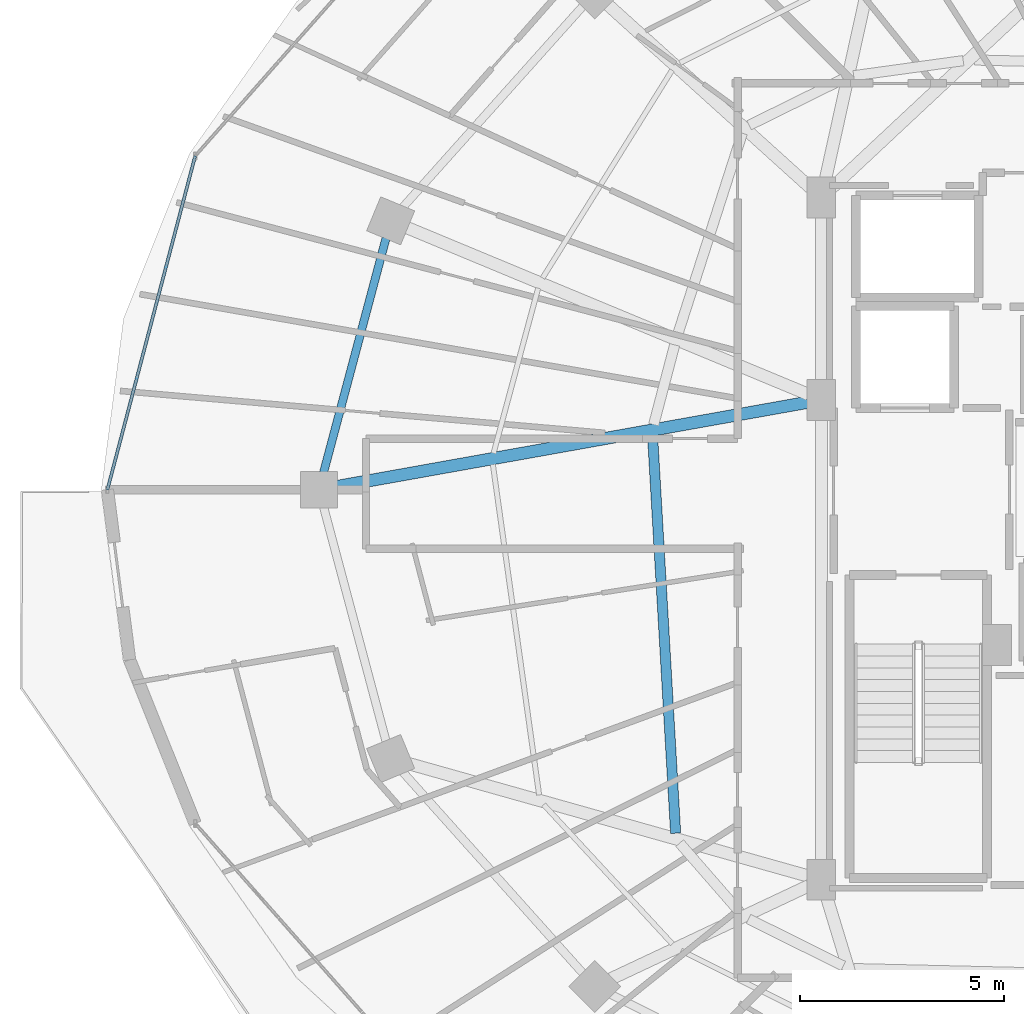
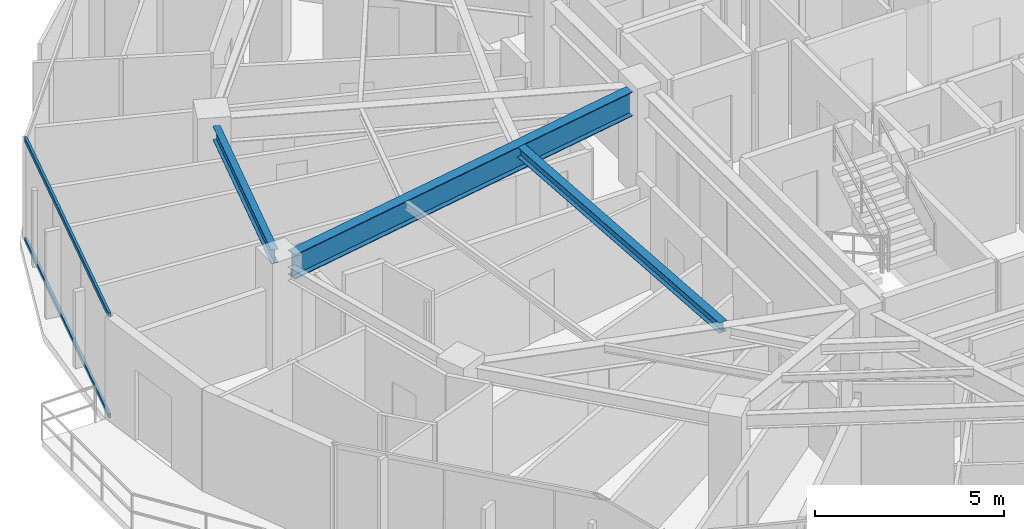
# One storey, part 8 of 33: 3 beams, 2 members, 1 element without a shape of its own.
"""IFC4 building model written with IfcOpenShell, lengths in metres."""

from ifc_helpers import new_model, si_unit, direction, frame, origin, origin_2d, place, context, subcontext, project, spatial, hollow_rectangle, i_section, extrude, material, material_profile, profile_set, type_object, element, aggregate, save


model = new_model("IFC4")

# Units and contexts
model_context = context("Model", 3, precision=1e-05, world=origin(), true_north=direction((0.0, 1.0)))
body_context = subcontext(model_context, "Body", "Model", "MODEL_VIEW")
ifc_project = project(units=[si_unit("LENGTHUNIT", "METRE"), si_unit("AREAUNIT", "SQUARE_METRE"), si_unit("VOLUMEUNIT", "CUBIC_METRE"), si_unit("PLANEANGLEUNIT", "RADIAN"), si_unit("MASSUNIT", "GRAM", prefix="KILO")], contexts=[model_context])

# Site, building, storey
site_placement = place(None, origin())
site = spatial("IfcSite", under=ifc_project, at=site_placement, CompositionType="ELEMENT")
building_placement = place(site_placement, origin())
building = spatial("IfcBuilding", under=site, at=building_placement, Name="Vorneva Point Tower", CompositionType="ELEMENT")
storey_placement = place(building_placement, frame((0.0, 0.0, 200.10009765625)))
storey = spatial("IfcBuildingStorey", under=building, at=storey_placement, Name="L54", CompositionType="ELEMENT", Elevation=200.10009765625)

# Beams
ifc_material_1 = material(Name="Steel S355", Category="steel")
ifc_material_profile_1 = material_profile(ifc_material_1, i_section(OverallWidth=0.300048828125, OverallDepth=0.7880859375, WebThickness=0.014404296875, FlangeThickness=0.02197265625, at=origin_2d()), Name="80Sh1")
ifc_profile_set_1 = profile_set([ifc_material_profile_1], Name="Steel S355")
beam_type_1 = type_object("IfcBeamType", Name="BM-GRD-80Sh1", PredefinedType="USERDEFINED", material=ifc_profile_set_1)
beam_1_placement = place(storey_placement, frame((15.381103515625, 26.0771484375, 2.89599609375), z_axis=(0.984378602255, 0.176064668298, 0.0), x_axis=(-0.176064668298, 0.984378602255, 0.0)))
element("IfcBeam", 1, at=beam_1_placement, inside=storey, type_object=beam_type_1, Name="L54 Radial Primary Girder 09", ObjectType="GIRDER", PredefinedType="USERDEFINED", context=body_context, shape_type="SweptSolid", body=[
    extrude(i_section(OverallWidth=0.300048828125, OverallDepth=0.7880859375, WebThickness=0.014404296875, FlangeThickness=0.02197265625, at=origin_2d()), origin(), (0.0, 0.0, 1.0), 11.71728515625),
])
ifc_material_profile_2 = material_profile(ifc_material_1, i_section(OverallWidth=0.2490234375, OverallDepth=0.333984375, WebThickness=0.008056640625, FlangeThickness=0.010986328125, at=origin_2d()), Name="35Sh1")
ifc_profile_set_2 = profile_set([ifc_material_profile_2], Name="Steel S355")
beam_type_2 = type_object("IfcBeamType", Name="BM-SEC-35Sh1", PredefinedType="BEAM", material=ifc_profile_set_2)
beam_2_placement = place(storey_placement, frame((23.116943359375, 27.321533203125, 3.122802734375), z_axis=(0.057952710054, -0.998319329372, 0.0), x_axis=(0.998319329372, 0.057952710054, 0.0)))
element("IfcBeam", 2, at=beam_2_placement, inside=storey, type_object=beam_type_2, Name="L54 Secondary Floor Beam 2.09", PredefinedType="BEAM", context=body_context, shape_type="SweptSolid", body=[
    extrude(i_section(OverallWidth=0.2490234375, OverallDepth=0.333984375, WebThickness=0.008056640625, FlangeThickness=0.010986328125, at=origin_2d()), origin(), (0.0, 0.0, 1.0), 9.748291015625),
])
ifc_material_profile_3 = material_profile(ifc_material_1, i_section(OverallWidth=0.198974609375, OverallDepth=0.446044921875, WebThickness=0.008056640625, FlangeThickness=0.011962890625, at=origin_2d()), Name="45B1")
ifc_profile_set_3 = profile_set([ifc_material_profile_3], Name="Steel S355")
beam_type_3 = type_object("IfcBeamType", Name="BM-SPN-45B1", PredefinedType="SPANDREL", material=ifc_profile_set_3)
beam_3_placement = place(storey_placement, frame((16.592529296875, 32.161865234375, 3.06689453125), z_axis=(-0.257578258003, -0.966257440336, 0.0), x_axis=(0.966257440336, -0.257578258003, 0.0)))
element("IfcBeam", 3, at=beam_3_placement, inside=storey, type_object=beam_type_3, Name="L54 Perimeter Spandrel Ring Beam 08", PredefinedType="SPANDREL", context=body_context, shape_type="SweptSolid", body=[
    extrude(i_section(OverallWidth=0.198974609375, OverallDepth=0.446044921875, WebThickness=0.008056640625, FlangeThickness=0.011962890625, at=origin_2d()), origin(), (0.0, 0.0, 1.0), 5.94189453125),
])

# Curtain wall, members
ifc_material_2 = material(Name="Pale anodised aluminium", Category="aluminium")
curtain_wall_type = type_object("IfcCurtainWallType", Name="CW-RES-SYS", PredefinedType="NOTDEFINED", material=ifc_material_2)
curtain_wall_placement = place(storey_placement, origin())
curtain_wall = element("IfcCurtainWall", 4, at=curtain_wall_placement, inside=storey, type_object=curtain_wall_type, Name="L54 Unitised Curtain Wall CW-L54-R02", PredefinedType="NOTDEFINED")
ifc_material_profile_4 = material_profile(ifc_material_2, hollow_rectangle(XDim=0.074951171875, YDim=0.14990234375, WallThickness=0.00390625, at=origin_2d()), Name="AL-TRN 150x75x4")
ifc_profile_set_4 = profile_set([ifc_material_profile_4], Name="Pale anodised aluminium")
member_type = type_object("IfcMemberType", Name="CW-TRN-150", PredefinedType="USERDEFINED", material=ifc_profile_set_4)
member_1_placement = place(storey_placement, frame((11.9189453125, 34.17041015625, 0.02001953125), z_axis=(-0.254362431281, -0.967108966742, 0.0), x_axis=(0.967108966742, -0.254362431281, 0.0)))
member_1 = element("IfcMember", 5, at=member_1_placement, type_object=member_type, Name="CW-L54-R02 Transom 02.1", ObjectType="TRANSOM", PredefinedType="USERDEFINED", context=body_context, shape_type="SweptSolid", body=[
    extrude(hollow_rectangle(XDim=0.074951171875, YDim=0.14990234375, WallThickness=0.00390625, at=origin_2d()), origin(), (0.0, 0.0, 1.0), 8.4482421875),
])
member_2_placement = place(storey_placement, frame((11.9189453125, 34.17041015625, 3.27001953125), z_axis=(-0.254362431281, -0.967108966742, 0.0), x_axis=(0.967108966742, -0.254362431281, 0.0)))
member_2 = element("IfcMember", 6, at=member_2_placement, type_object=member_type, Name="CW-L54-R02 Transom 02.2", ObjectType="TRANSOM", PredefinedType="USERDEFINED", context=body_context, shape_type="SweptSolid", body=[
    extrude(hollow_rectangle(XDim=0.074951171875, YDim=0.14990234375, WallThickness=0.00390625, at=origin_2d()), origin(), (0.0, 0.0, 1.0), 8.4482421875),
])
aggregate(curtain_wall, [member_1, member_2])

save(model, "model.ifc")
